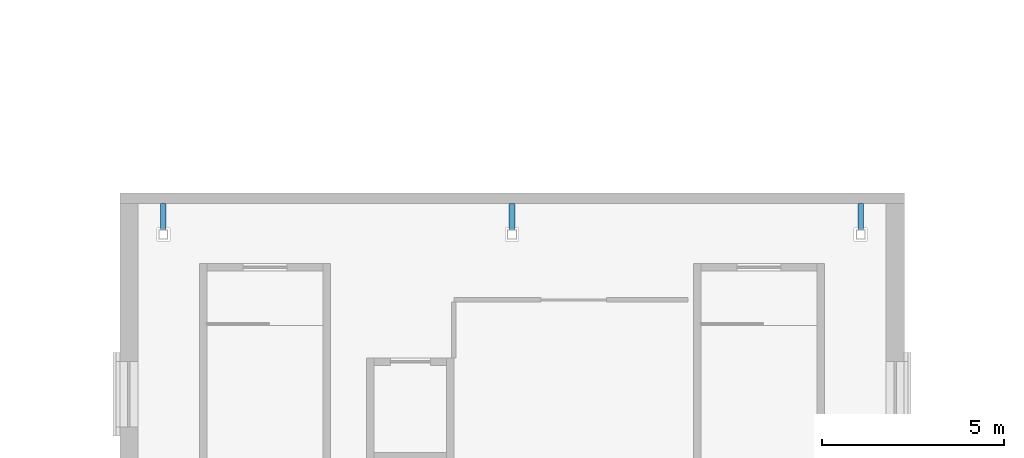
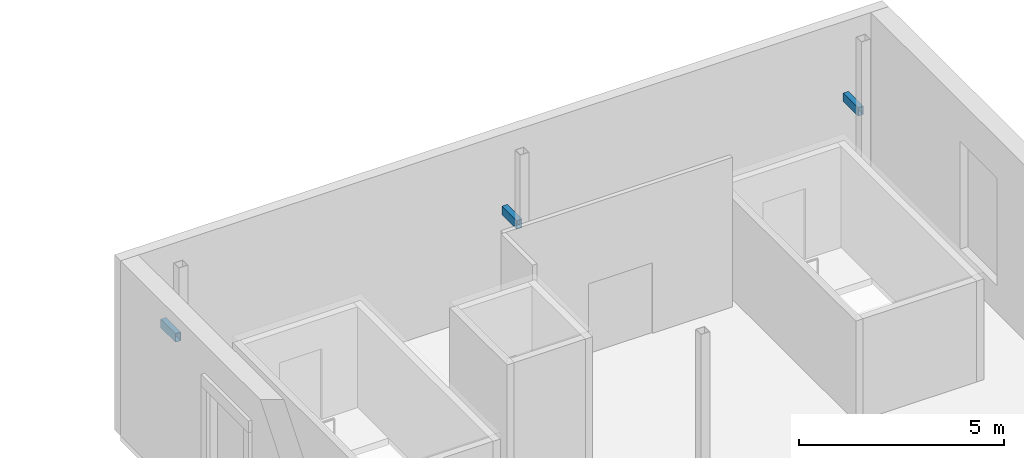
# One storey, part 46 of 93: 3 beams.
"""IFC4 building model written with IfcOpenShell, lengths in metres."""

import ifcopenshell
import ifcopenshell.guid

model = None  # the IFC model being written
_history = None  # IfcOwnerHistory: only IFC2X3 demands one
_inside = {}  # id of a spatial element -> (the spatial element, [elements in it])
_under = {}  # id of a project, library or spatial element -> (it, [spatial elements below it])
_declared = {}  # id of a project -> (the project, [libraries it declares])
_typed = {}  # id of a type object -> (the type object, [elements of that type])
_made_of = {}  # id of a material, layer set ... -> (it, [elements and type objects made of it])


def new_model(schema):
    """Start an empty IFC model of exactly this schema.

    Asked for "IFC4X3", IfcOpenShell would pick the latest addendum, in which some entities
    have other attributes; the version numbers below select the first issue.
    IFC2X3 requires an IfcOwnerHistory on every rooted entity: one is made here for all.
    """
    global model, _history
    if schema == "IFC4X3":
        model = ifcopenshell.file(schema_version=(4, 3, 0, 0))
    else:
        model = ifcopenshell.file(schema=schema)
    _inside.clear()
    _under.clear()
    _declared.clear()
    _typed.clear()
    _made_of.clear()
    _history = None
    if model.schema == "IFC2X3":
        org = make("IfcOrganization", Name="unknown")
        user = make(
            "IfcPersonAndOrganization",
            ThePerson=make("IfcPerson", FamilyName="unknown"),
            TheOrganization=org,
        )
        app = make(
            "IfcApplication",
            ApplicationDeveloper=org,
            Version="unknown",
            ApplicationFullName="unknown",
            ApplicationIdentifier="unknown",
        )
        _history = make(
            "IfcOwnerHistory",
            OwningUser=user,
            OwningApplication=app,
            ChangeAction="ADDED",
            CreationDate=0,
        )
    return model


def make(cls, **values):
    """One entity of the class cls with the attributes given. An attribute that is None is left unset."""
    return model.create_entity(
        cls, **{name: value for name, value in values.items() if value is not None}
    )


def rooted(cls, **values):
    """An entity with a GlobalId (a new one), such as an element, a storey or a relation."""
    return make(cls, GlobalId=ifcopenshell.guid.new(), OwnerHistory=_history, **values)


def si_unit(unit_type, name, prefix=None):
    """IfcSIUnit, for example si_unit("LENGTHUNIT", "METRE", prefix="MILLI")."""
    return make("IfcSIUnit", UnitType=unit_type, Prefix=prefix, Name=name)


def assignment(units):
    """IfcUnitAssignment: the units of a project."""
    return None if units is None else make("IfcUnitAssignment", Units=units)


def point(xyz):
    """IfcCartesianPoint."""
    return None if xyz is None else make("IfcCartesianPoint", Coordinates=xyz)


def direction(xyz):
    """IfcDirection."""
    return None if xyz is None else make("IfcDirection", DirectionRatios=xyz)


def frame(location, z_axis=None, x_axis=None):
    """IfcAxis2Placement3D, a coordinate frame: its origin and axes. An axis left out is left unset."""
    return make(
        "IfcAxis2Placement3D",
        Location=point(location),
        Axis=direction(z_axis),
        RefDirection=direction(x_axis),
    )


def frame_2d(location, x_axis=None):
    """IfcAxis2Placement2D, a coordinate frame in the plane: its origin and x axis."""
    return make(
        "IfcAxis2Placement2D", Location=point(location), RefDirection=direction(x_axis)
    )


def origin():
    """The frame at (0, 0, 0) with its axes left unset."""
    return frame((0.0, 0.0, 0.0))


def origin_2d():
    """The frame at (0, 0) in the plane with its x axis left unset."""
    return frame_2d((0.0, 0.0))


def place(relative_to, where):
    """IfcLocalPlacement: puts the frame where relative to a parent placement (None: the world)."""
    return make(
        "IfcLocalPlacement", PlacementRelTo=relative_to, RelativePlacement=where
    )


def context(
    kind, dimensions, precision=None, world=None, true_north=None, identifier=None
):
    """IfcGeometricRepresentationContext, for example the 3D "Model" context."""
    return make(
        "IfcGeometricRepresentationContext",
        ContextIdentifier=identifier,
        ContextType=kind,
        CoordinateSpaceDimension=dimensions,
        Precision=precision,
        WorldCoordinateSystem=world,
        TrueNorth=true_north,
    )


def subcontext(parent, identifier, kind, view, scale=None):
    """IfcGeometricRepresentationSubContext, for example "Body" below "Model"."""
    return make(
        "IfcGeometricRepresentationSubContext",
        ContextIdentifier=identifier,
        ContextType=kind,
        ParentContext=parent,
        TargetScale=scale,
        TargetView=view,
    )


def project(units=None, contexts=None):
    """IfcProject with its units and contexts."""
    return rooted(
        "IfcProject",
        Name="project",
        RepresentationContexts=contexts,
        UnitsInContext=assignment(units),
    )


def spatial(cls, under=None, at=None, **own):
    """A site, building, storey or space (cls), placed at a placement, below another one or the project."""
    s = rooted(cls, ObjectPlacement=at, **own)
    if under is not None:
        _under.setdefault(under.id(), (under, []))[1].append(s)
    return s


def profile(cls, at=None, kind="AREA", **sizes):
    """A parametric profile (cls). Its sizes go by their IFC names, for example OverallWidth=200.0."""
    return make(cls, ProfileType=kind, Position=at, **sizes)


def hollow_rectangle(**sizes):
    """IfcRectangleHollowProfileDef."""
    return profile("IfcRectangleHollowProfileDef", **sizes)


def extrude(swept, where, along, depth):
    """IfcExtrudedAreaSolid: the profile swept, set in the frame where, extruded along a direction by depth."""
    return make(
        "IfcExtrudedAreaSolid",
        SweptArea=swept,
        Position=where,
        ExtrudedDirection=direction(along),
        Depth=depth,
    )


def shape(context_of_items, identifier, shape_type, items):
    """IfcShapeRepresentation: the items that make up one representation, for example the "Body"."""
    return make(
        "IfcShapeRepresentation",
        ContextOfItems=context_of_items,
        RepresentationIdentifier=identifier,
        RepresentationType=shape_type,
        Items=items,
    )


def material(Name=None, Category=None):
    """IfcMaterial."""
    return make("IfcMaterial", Name=Name, Category=Category)


def material_profile(
    of_material, cross_section, Name=None, Category=None, Priority=None
):
    """IfcMaterialProfile: a cross section and its material."""
    return make(
        "IfcMaterialProfile",
        Name=Name,
        Material=of_material,
        Profile=cross_section,
        Priority=Priority,
        Category=Category,
    )


def profile_set(profiles, Name=None, composite=None):
    """IfcMaterialProfileSet."""
    return make(
        "IfcMaterialProfileSet",
        Name=Name,
        MaterialProfiles=profiles,
        CompositeProfile=composite,
    )


def made_of(thing, what):
    """Note that an element or type object is made of a material, layer set ...; save() writes the relation."""
    if what is not None:
        _made_of.setdefault(what.id(), (what, []))[1].append(thing)
    return thing


def type_object(cls, material=None, **own):
    """A type object (cls), such as IfcWallType, which elements share."""
    return made_of(rooted(cls, **own), material)


def element(
    cls,
    number,
    at=None,
    inside=None,
    cuts=None,
    type_object=None,
    material=None,
    context=None,
    identifier="Body",
    shape_type=None,
    held_by="IfcProductDefinitionShape",
    body=None,
    shapes=None,
    **own,
):
    """One element of the class cls, such as IfcWall. Its Tag is "e" and its number.

    at: its placement. inside: the storey or other place that contains it. cuts: it is an
    opening in that element (IfcRelVoidsElement). A single representation is given by context,
    identifier, shape_type and body (its items); several are given by shapes. held_by: the class
    of the entity that holds the representations. save() writes the other relations.
    """
    e = rooted(cls, Tag="e%d" % number, ObjectPlacement=at, **own)
    if body is not None:
        shapes = [shape(context, identifier, shape_type, body)]
    if shapes is not None:
        e.Representation = make(held_by, Representations=shapes)
    if inside is not None:
        _inside.setdefault(inside.id(), (inside, []))[1].append(e)
    if cuts is not None:
        rooted(
            "IfcRelVoidsElement", RelatingBuildingElement=cuts, RelatedOpeningElement=e
        )
    if type_object is not None:
        _typed.setdefault(type_object.id(), (type_object, []))[1].append(e)
    return made_of(e, material)


def aggregate(whole, parts):
    """IfcRelAggregates: a whole, such as a stair, and the parts it consists of."""
    return rooted("IfcRelAggregates", RelatingObject=whole, RelatedObjects=parts)


def save(model, path):
    """Write the relations noted so far, then the file.

    IfcRelAggregates (storeys below a building ...), IfcRelContainedInSpatialStructure (elements
    in a storey), IfcRelDefinesByType, IfcRelAssociatesMaterial and IfcRelDeclares: one each for
    every whole, place, type object, material and project.
    """
    for whole, parts in _under.values():
        aggregate(whole, parts)
    for where, things in _inside.values():
        rooted(
            "IfcRelContainedInSpatialStructure",
            RelatedElements=things,
            RelatingStructure=where,
        )
    for kind, things in _typed.values():
        rooted("IfcRelDefinesByType", RelatedObjects=things, RelatingType=kind)
    for what, things in _made_of.values():
        rooted("IfcRelAssociatesMaterial", RelatedObjects=things, RelatingMaterial=what)
    for by, libraries in _declared.values():
        rooted("IfcRelDeclares", RelatingContext=by, RelatedDefinitions=libraries)
    model.write(path)


model = new_model("IFC4")

# Units and contexts
model_context = context("Model", 3, precision=1e-05, world=origin(), true_north=direction((0.0, 1.0)))
body_context = subcontext(model_context, "Body", "Model", "MODEL_VIEW")
ifc_project = project(units=[si_unit("LENGTHUNIT", "METRE"), si_unit("AREAUNIT", "SQUARE_METRE"), si_unit("VOLUMEUNIT", "CUBIC_METRE"), si_unit("PLANEANGLEUNIT", "RADIAN"), si_unit("MASSUNIT", "GRAM", prefix="KILO")], contexts=[model_context])

# Site, building, storey
site_placement = place(None, origin())
site = spatial("IfcSite", under=ifc_project, at=site_placement, CompositionType="ELEMENT")
building_placement = place(site_placement, origin())
building = spatial("IfcBuilding", under=site, at=building_placement, Name="Verrick Yard Athletic Hall", CompositionType="ELEMENT")
storey_placement = place(building_placement, frame((0.0, 0.0, 8.800048828125)))
storey = spatial("IfcBuildingStorey", under=building, at=storey_placement, Name="L02", CompositionType="ELEMENT", Elevation=8.800048828125)

# Beams
ifc_material = material(Name="Structural steel HSS Class C 350W (CSA G40.20/G40.21)", Category="steel")
ifc_material_profile = material_profile(ifc_material, hollow_rectangle(XDim=0.15234375, YDim=0.25390625, WallThickness=0.009521484375, at=origin_2d()), Name="HSS254x152x9.5")
ifc_profile_set = profile_set([ifc_material_profile], Name="Structural steel HSS Class C 350W (CSA G40.20/G40.21)")
beam_type = type_object("IfcBeamType", Name="HB buttress strut HSS254x152x9.5", PredefinedType="BEAM", material=ifc_profile_set)
for number, where, z_axis, x_axis, name in (
    (1, (89.199951171875, 99.72705078125, 2.949951171875), (0.0, 1.0, 0.0), (-1.0, 0.0, 0.0), "HB-BU-C1-3"),
    (2, (98.800048828125, 99.72705078125, 2.949951171875), (0.0, 1.0, 0.0), (-1.0, 0.0, 0.0), "HB-BU-C2-3"),
    (3, (108.39990234375, 99.72705078125, 2.949951171875), (0.0, 1.0, 0.0), (-1.0, 0.0, 0.0), "HB-BU-C3-3"),
):
    element("IfcBeam", number, at=place(storey_placement, frame(where, z_axis=z_axis, x_axis=x_axis)), inside=storey, type_object=beam_type, Name=name, PredefinedType="BEAM", context=body_context, shape_type="SweptSolid", body=[
        extrude(hollow_rectangle(XDim=0.15234375, YDim=0.25390625, WallThickness=0.009521484375, at=origin_2d()), origin(), (0.0, 0.0, 1.0), 0.722900390625),
    ])

save(model, "model.ifc")
